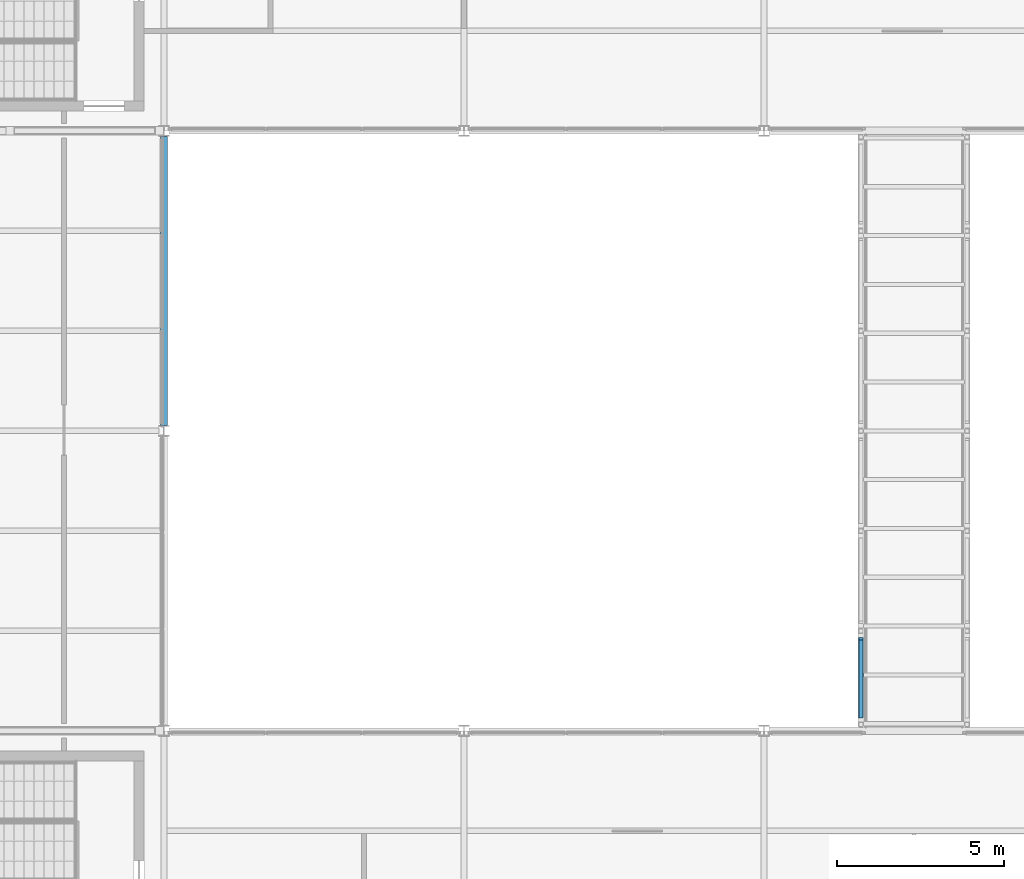
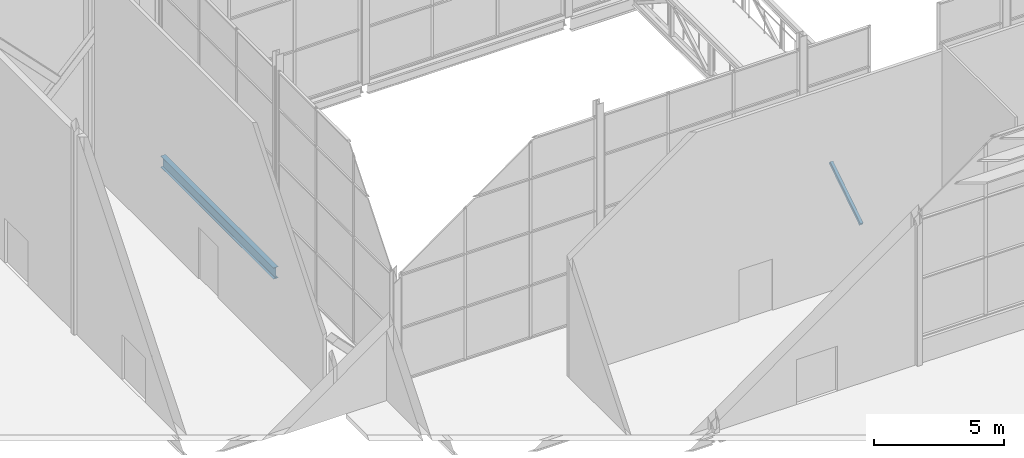
# One storey, part 36 of 111: 1 beam, 1 member.
"""IFC4 building model written with IfcOpenShell, lengths in metres."""

from ifc_helpers import new_model, si_unit, direction, frame, origin, origin_2d, place, context, subcontext, project, spatial, hollow_rectangle, i_section, extrude, material, material_profile, profile_set, type_object, element, save


model = new_model("IFC4")

# Units and contexts
model_context = context("Model", 3, precision=1e-05, world=origin(), true_north=direction((0.0, 1.0)))
body_context = subcontext(model_context, "Body", "Model", "MODEL_VIEW")
ifc_project = project(units=[si_unit("LENGTHUNIT", "METRE"), si_unit("AREAUNIT", "SQUARE_METRE"), si_unit("VOLUMEUNIT", "CUBIC_METRE"), si_unit("PLANEANGLEUNIT", "RADIAN"), si_unit("MASSUNIT", "GRAM", prefix="KILO")], contexts=[model_context])

# Site, building, storey
site_placement = place(None, origin())
site = spatial("IfcSite", under=ifc_project, at=site_placement, CompositionType="ELEMENT")
building_placement = place(site_placement, origin())
building = spatial("IfcBuilding", under=site, at=building_placement, Name="Shorebreak Coast Museum", CompositionType="ELEMENT")
storey_placement = place(building_placement, frame((0.0, 0.0, 16.0)))
storey = spatial("IfcBuildingStorey", under=building, at=storey_placement, Name="L03", CompositionType="ELEMENT", Elevation=16.0)

# Member
ifc_material_1 = material(Name="Steel Grade C450L0", Category="steel")
ifc_material_profile_1 = material_profile(ifc_material_1, hollow_rectangle(XDim=0.14990234375, YDim=0.14990234375, WallThickness=0.009033203125, InnerFilletRadius=0.013427734375, OuterFilletRadius=0.0224609375, at=origin_2d()), Name="150x150x9.0 SHS")
ifc_profile_set_1 = profile_set([ifc_material_profile_1], Name="Steel Grade C450L0")
member_type = type_object("IfcMemberType", Name="Atrium bridge truss diagonal 150x150x9.0 SHS", PredefinedType="BRACE", material=ifc_profile_set_1)
member_placement = place(storey_placement, frame((83.906982421875, 63.42919921875, -0.175048828125), z_axis=(0.0, 0.84209997061, 0.539321462116), x_axis=(-1.0, 0.0, 0.0)))
element("IfcMember", 1, at=member_placement, inside=storey, type_object=member_type, Name="Atrium bridge truss BR2 side B diagonal D01", PredefinedType="BRACE", context=body_context, shape_type="SweptSolid", body=[
    extrude(hollow_rectangle(XDim=0.14990234375, YDim=0.14990234375, WallThickness=0.009033203125, InnerFilletRadius=0.013427734375, OuterFilletRadius=0.0224609375, at=origin_2d()), origin(), (0.0, 0.0, 1.0), 2.76806640625),
])

# Beam
ifc_material_2 = material(Name="Steel Grade 300", Category="steel")
ifc_material_profile_2 = material_profile(ifc_material_2, i_section(OverallWidth=0.208984375, OverallDepth=0.5283203125, WebThickness=0.009521484375, FlangeThickness=0.01318359375, FilletRadius=0.013916015625, at=origin_2d()), Name="530UB82.0")
ifc_profile_set_2 = profile_set([ifc_material_profile_2], Name="Steel Grade 300")
beam_type = type_object("IfcBeamType", Name="Floor girder north-south 530UB82.0", PredefinedType="BEAM", material=ifc_profile_set_2)
beam_placement = place(storey_placement, frame((63.0, 72.16357421875, -0.439208984375), z_axis=(0.0, 1.0, 0.0), x_axis=(-1.0, 0.0, 0.0)))
element("IfcBeam", 2, at=beam_placement, inside=storey, type_object=beam_type, Name="Floor girder north-south L03 8J", PredefinedType="BEAM", context=body_context, shape_type="SweptSolid", body=[
    extrude(i_section(OverallWidth=0.208984375, OverallDepth=0.5283203125, WebThickness=0.009521484375, FlangeThickness=0.01318359375, FilletRadius=0.013916015625, at=origin_2d()), origin(), (0.0, 0.0, 1.0), 8.6728515625),
])

save(model, "model.ifc")
